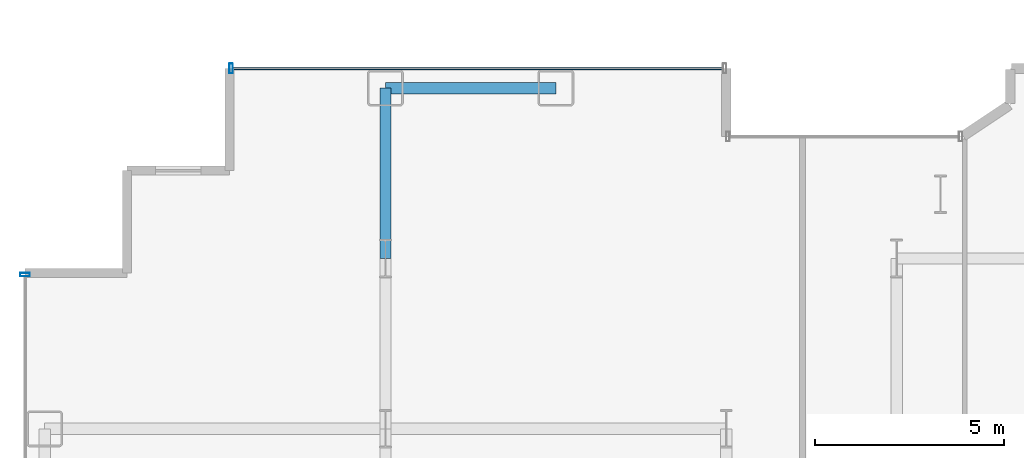
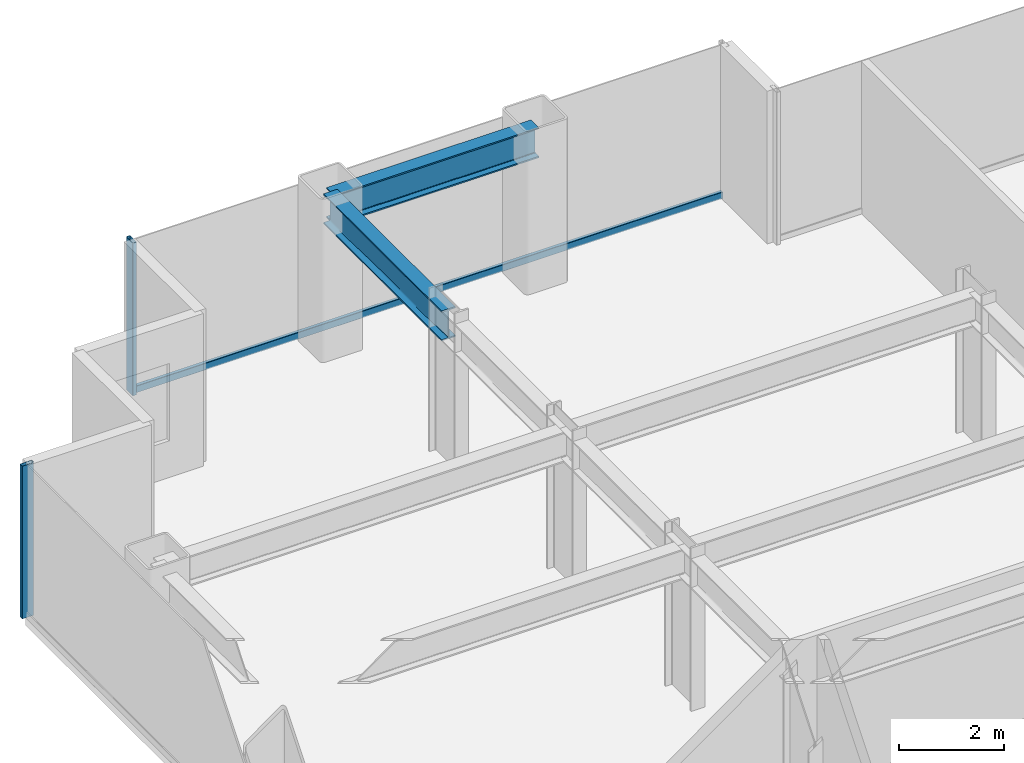
# One storey, part 9 of 26: 3 members, 2 beams, 2 elements without a shape of their own.
"""IFC4 building model written with IfcOpenShell, lengths in metres."""

from ifc_helpers import new_model, si_unit, direction, frame, origin, origin_2d, place, context, subcontext, project, spatial, hollow_rectangle, i_section, extrude, source, transform, mapped, material, layer, layer_set, material_profile, profile_set, type_object, element, aggregate, save


model = new_model("IFC4")

# Units and contexts
model_context = context("Model", 3, precision=1e-05, world=origin(), true_north=direction((0.0, 1.0)))
body_context = subcontext(model_context, "Body", "Model", "MODEL_VIEW")
ifc_project = project(units=[si_unit("LENGTHUNIT", "METRE"), si_unit("AREAUNIT", "SQUARE_METRE"), si_unit("VOLUMEUNIT", "CUBIC_METRE"), si_unit("PLANEANGLEUNIT", "RADIAN"), si_unit("MASSUNIT", "GRAM", prefix="KILO")], contexts=[model_context])

# Site, building, storey
site_placement = place(None, origin())
site = spatial("IfcSite", under=ifc_project, at=site_placement, CompositionType="ELEMENT")
building_placement = place(site_placement, origin())
building = spatial("IfcBuilding", under=site, at=building_placement, Name="Nefas-Gora Pilgrimage Tower", CompositionType="ELEMENT")
storey_placement = place(building_placement, frame((0.0, 0.0, 36.800048828125)))
storey = spatial("IfcBuildingStorey", under=building, at=storey_placement, Name="L07", CompositionType="ELEMENT", Elevation=36.800048828125)

# Beams
ifc_material_1 = material(Name="Steel S355", Category="steel")
ifc_material_profile_1 = material_profile(ifc_material_1, i_section(OverallWidth=0.300048828125, OverallDepth=0.699951171875, WebThickness=0.01708984375, FlangeThickness=0.031982421875, FilletRadius=0.027099609375, at=origin_2d()), Name="HEB 700")
ifc_profile_set_1 = profile_set([ifc_material_profile_1], Name="Steel S355")
beam_type_1 = type_object("IfcBeamType", Name="BM-SPN-HEB600", PredefinedType="SPANDREL", material=ifc_profile_set_1)
shared_shape_1 = source(origin(), body_context, "Body", "SweptSolid", [
    extrude(i_section(OverallWidth=0.300048828125, OverallDepth=0.699951171875, WebThickness=0.01708984375, FlangeThickness=0.031982421875, FilletRadius=0.027099609375, at=origin_2d()), origin(), (0.0, 0.0, 1.0), 4.5),
])
beam_1_placement = place(storey_placement, frame((-24.75, 22.5, 3.199951171875), z_axis=(1.0, 0.0, 0.0), x_axis=(0.0, 1.0, 0.0)))
element("IfcBeam", 1, at=beam_1_placement, inside=storey, type_object=beam_type_1, Name="L07 SP-01 beam", PredefinedType="SPANDREL", context=body_context, shape_type="MappedRepresentation", body=[
    mapped(shared_shape_1, transform((0.0, 0.0, 0.0), x_axis=(1.0, 0.0, 0.0), y_axis=(0.0, 1.0, 0.0), z_axis=(0.0, 0.0, 1.0), scale=1.0)),
])
ifc_material_profile_2 = material_profile(ifc_material_1, i_section(OverallWidth=0.300048828125, OverallDepth=0.699951171875, WebThickness=0.01708984375, FlangeThickness=0.031982421875, FilletRadius=0.027099609375, at=origin_2d()), Name="HEB 700")
ifc_profile_set_2 = profile_set([ifc_material_profile_2], Name="Steel S355")
beam_type_2 = type_object("IfcBeamType", Name="BM-GIR-HEB700", PredefinedType="BEAM", material=ifc_profile_set_2)
shared_shape_2 = source(origin(), body_context, "Body", "SweptSolid", [
    extrude(i_section(OverallWidth=0.300048828125, OverallDepth=0.699951171875, WebThickness=0.01708984375, FlangeThickness=0.031982421875, FilletRadius=0.027099609375, at=origin_2d()), origin(), (0.0, 0.0, 1.0), 4.5),
])
beam_2_placement = place(storey_placement, frame((-24.75, 18.0, 3.199951171875), z_axis=(0.0, 1.0, 0.0), x_axis=(-1.0, 0.0, 0.0)))
element("IfcBeam", 2, at=beam_2_placement, inside=storey, type_object=beam_type_2, Name="L07 G-02 beam", PredefinedType="BEAM", context=body_context, shape_type="MappedRepresentation", body=[
    mapped(shared_shape_2, transform((0.0, 0.0, 0.0), x_axis=(1.0, 0.0, 0.0), y_axis=(0.0, 1.0, 0.0), z_axis=(0.0, 0.0, 1.0), scale=1.0)),
])

# Curtain wall, member
ifc_material_2 = material(Name="Dark ceramic-fritted solar-control aluminium-glass curtain wall", Category="aluminium")
ifc_layer = layer(ifc_material_2, 0.219970703125)
ifc_layer_set = layer_set([ifc_layer], Name="Dark ceramic-fritted solar-control aluminium-glass curtain wall")
curtain_wall_type = type_object("IfcCurtainWallType", Name="CW-SYS-2", PredefinedType="NOTDEFINED", material=ifc_layer_set)
curtain_wall_1_placement = place(storey_placement, origin())
curtain_wall_1 = element("IfcCurtainWall", 3, at=curtain_wall_1_placement, inside=storey, type_object=curtain_wall_type, Name="L07 Unitised Curtain Wall CW2", PredefinedType="NOTDEFINED")
ifc_material_3 = material(Name="Anodised architectural aluminium", Category="aluminium")
ifc_material_profile_3 = material_profile(ifc_material_3, hollow_rectangle(XDim=0.090087890625, YDim=0.260009765625, WallThickness=0.006103515625, InnerFilletRadius=0.006103515625, OuterFilletRadius=0.011962890625, at=origin_2d()), Name="ALU MULLION 90x260")
ifc_profile_set_3 = profile_set([ifc_material_profile_3], Name="Anodised architectural aluminium")
member_type_1 = type_object("IfcMemberType", Name="CWM-MUL-2", PredefinedType="MULLION", material=ifc_profile_set_3)
shared_shape_3 = source(origin(), body_context, "Body", "SweptSolid", [
    extrude(hollow_rectangle(XDim=0.090087890625, YDim=0.260009765625, WallThickness=0.006103515625, InnerFilletRadius=0.006103515625, OuterFilletRadius=0.011962890625, at=origin_2d()), origin(), (0.0, 0.0, 1.0), 3.550048828125),
])
member_1_placement = place(storey_placement, frame((-28.824951171875, 23.02001953125, 0.0), z_axis=(0.0, 0.0, 1.0), x_axis=(-1.0, 0.0, 0.0)))
member_1 = element("IfcMember", 4, at=member_1_placement, type_object=member_type_1, Name="CW2 Mullion 2", PredefinedType="MULLION", context=body_context, shape_type="MappedRepresentation", body=[
    mapped(shared_shape_3, transform((0.0, 0.0, 0.0), x_axis=(1.0, 0.0, 0.0), y_axis=(0.0, 1.0, 0.0), z_axis=(0.0, 0.0, 1.0), scale=1.0)),
])

curtain_wall_2_placement = place(storey_placement, origin())
curtain_wall_2 = element("IfcCurtainWall", 5, at=curtain_wall_2_placement, inside=storey, type_object=curtain_wall_type, Name="L07 Unitised Curtain Wall CW2", PredefinedType="NOTDEFINED")
member_2_placement = place(storey_placement, frame((-34.27001953125, 17.574951171875, 0.0), z_axis=(0.0, 0.0, 1.0), x_axis=(0.0, -1.0, 0.0)))
member_2 = element("IfcMember", 6, at=member_2_placement, type_object=member_type_1, Name="CW2 Mullion 1", PredefinedType="MULLION", context=body_context, shape_type="MappedRepresentation", body=[
    mapped(shared_shape_3, transform((0.0, 0.0, 0.0), x_axis=(1.0, 0.0, 0.0), y_axis=(0.0, 1.0, 0.0), z_axis=(0.0, 0.0, 1.0), scale=1.0)),
])
aggregate(curtain_wall_2, [member_2])

# Member
ifc_material_profile_4 = material_profile(ifc_material_3, hollow_rectangle(XDim=0.080078125, YDim=0.159912109375, WallThickness=0.00439453125, InnerFilletRadius=0.00439453125, OuterFilletRadius=0.009033203125, at=origin_2d()), Name="ALU TRANSOM 80x160")
ifc_profile_set_4 = profile_set([ifc_material_profile_4], Name="Anodised architectural aluminium")
member_type_2 = type_object("IfcMemberType", Name="CWM-TRN-2", PredefinedType="USERDEFINED", material=ifc_profile_set_4)
shared_shape_4 = source(origin(), body_context, "Body", "SweptSolid", [
    extrude(hollow_rectangle(XDim=0.080078125, YDim=0.159912109375, WallThickness=0.00439453125, InnerFilletRadius=0.00439453125, OuterFilletRadius=0.009033203125, at=origin_2d()), origin(), (0.0, 0.0, 1.0), 12.93994140625),
])
member_3_placement = place(storey_placement, frame((-15.840087890625, 23.02001953125, 0.050048828125), z_axis=(-1.0, 0.0, 0.0), x_axis=(0.0, -1.0, 0.0)))
member_3 = element("IfcMember", 7, at=member_3_placement, type_object=member_type_2, Name="CW2 Spandrel Transom", ObjectType="TRANSOM", PredefinedType="USERDEFINED", context=body_context, shape_type="MappedRepresentation", body=[
    mapped(shared_shape_4, transform((0.0, 0.0, 0.0), x_axis=(1.0, 0.0, 0.0), y_axis=(0.0, 1.0, 0.0), z_axis=(0.0, 0.0, 1.0), scale=1.0)),
])

aggregate(curtain_wall_1, [member_1, member_3])

save(model, "model.ifc")
